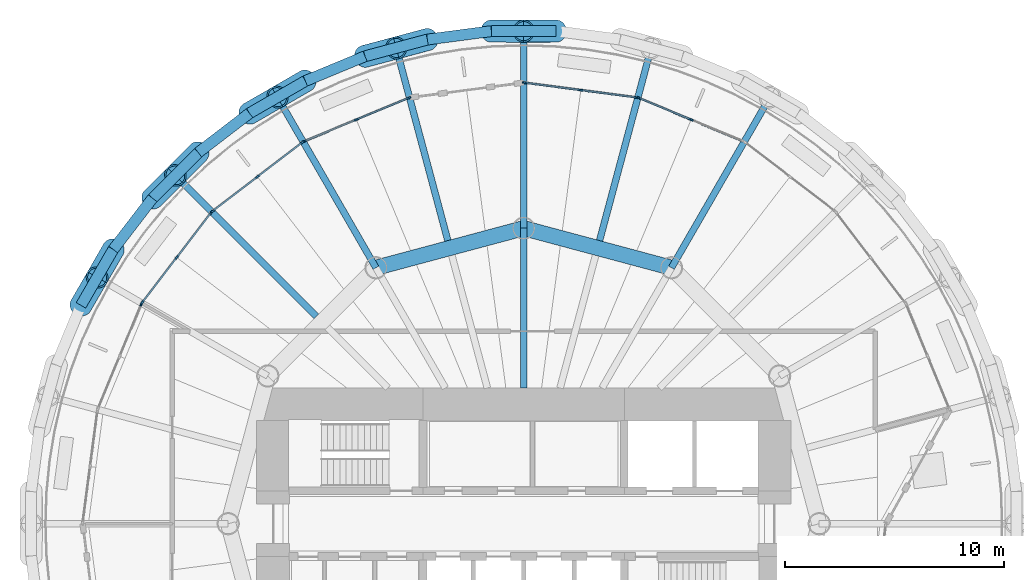
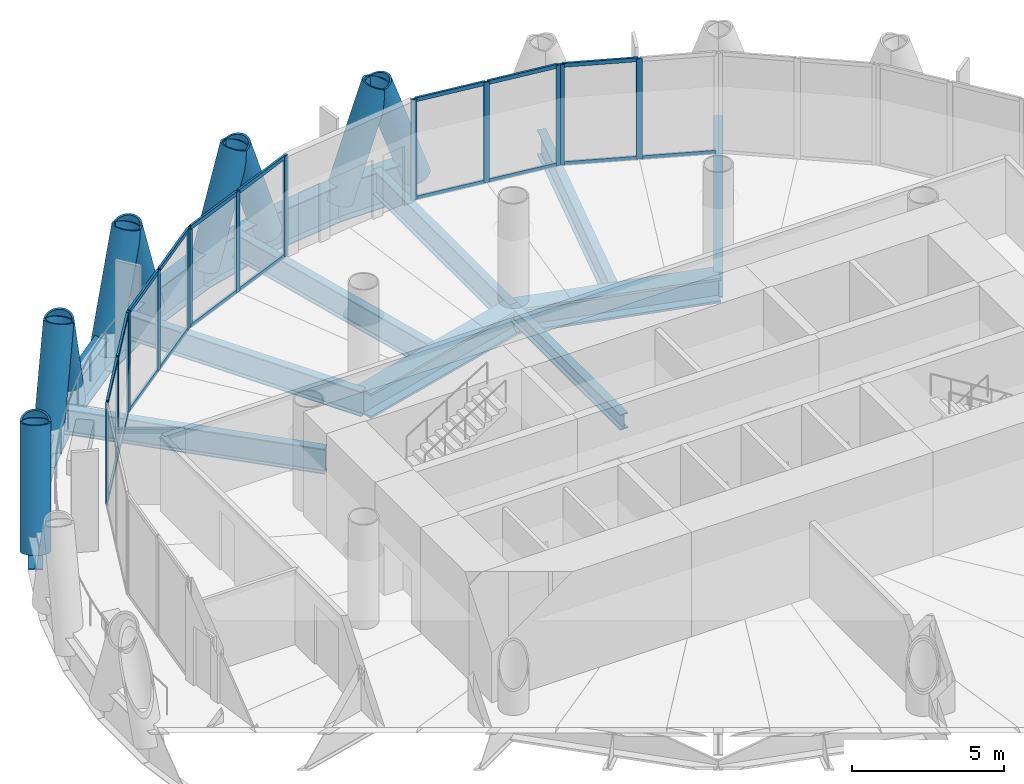
# One storey, part 5 of 13: 44 members, 18 beams, 6 elements without a shape of their own.
"""IFC4 building model written with IfcOpenShell, lengths in metres."""

from ifc_helpers import new_model, si_unit, direction, frame, origin, origin_2d, place, context, subcontext, project, spatial, rectangle, hollow_circle, i_section, extrude, material, material_profile, profile_set, type_object, element, aggregate, save


model = new_model("IFC4")

# Units and contexts
model_context = context("Model", 3, precision=1e-05, world=origin(), true_north=direction((0.0, 1.0)))
body_context = subcontext(model_context, "Body", "Model", "MODEL_VIEW")
ifc_project = project(units=[si_unit("LENGTHUNIT", "METRE"), si_unit("AREAUNIT", "SQUARE_METRE"), si_unit("VOLUMEUNIT", "CUBIC_METRE"), si_unit("PLANEANGLEUNIT", "RADIAN"), si_unit("MASSUNIT", "GRAM", prefix="KILO")], contexts=[model_context])

# Site, building, storey
site_placement = place(None, origin())
site = spatial("IfcSite", under=ifc_project, at=site_placement, CompositionType="ELEMENT")
building_placement = place(site_placement, origin())
building = spatial("IfcBuilding", under=site, at=building_placement, Name="Qaws Media Tower", CompositionType="ELEMENT")
storey_placement = place(building_placement, frame((0.0, 0.0, 223.39990234375)))
storey = spatial("IfcBuildingStorey", under=building, at=storey_placement, Name="L51", CompositionType="ELEMENT", Elevation=223.39990234375)

# Curtain wall, members
ifc_material_1 = material(Name="Aluminium and clear glass", Category="aluminium")
curtain_wall_type = type_object("IfcCurtainWallType", Name="Unitised curtain wall CW-C", PredefinedType="NOTDEFINED", material=ifc_material_1)
curtain_wall_1_placement = place(storey_placement, origin())
curtain_wall_1 = element("IfcCurtainWall", 1, at=curtain_wall_1_placement, inside=storey, type_object=curtain_wall_type, Name="CWC curtain wall L51-05", PredefinedType="NOTDEFINED")
ifc_material_2 = material(Name="Aluminium mullion", Category="aluminium")
ifc_material_profile_1 = material_profile(ifc_material_2, rectangle(XDim=0.080078125, YDim=0.199951171875, at=origin_2d()), Name="80x200")
ifc_profile_set_1 = profile_set([ifc_material_profile_1], Name="Aluminium mullion")
member_type_1 = type_object("IfcMemberType", Name="Curtain wall mullion 80x200", PredefinedType="MULLION", material=ifc_profile_set_1)
member_1_placement = place(storey_placement, frame((67.64501953125, 68.456787109375, 0.0), z_axis=(0.0, 0.0, 1.0), x_axis=(-0.382683365254, -0.92387956031, 0.0)))
member_1 = element("IfcMember", 2, at=member_1_placement, type_object=member_type_1, Name="CWC mullion 2", PredefinedType="MULLION", context=body_context, shape_type="SweptSolid", body=[
    extrude(rectangle(XDim=0.080078125, YDim=0.199951171875, at=origin_2d()), origin(), (0.0, 0.0, 1.0), 4.0400390625),
])
member_2_placement = place(storey_placement, frame((65.252197265625, 69.447998046875, 0.0), z_axis=(0.0, 0.0, 1.0), x_axis=(-0.382683365254, -0.92387956031, 0.0)))
member_2 = element("IfcMember", 3, at=member_2_placement, type_object=member_type_1, Name="CWC mullion 3", PredefinedType="MULLION", context=body_context, shape_type="SweptSolid", body=[
    extrude(rectangle(XDim=0.080078125, YDim=0.199951171875, at=origin_2d()), origin(), (0.0, 0.0, 1.0), 4.0400390625),
])

curtain_wall_2_placement = place(storey_placement, origin())
curtain_wall_2 = element("IfcCurtainWall", 4, at=curtain_wall_2_placement, inside=storey, type_object=curtain_wall_type, Name="CWC curtain wall L51-06", PredefinedType="NOTDEFINED")
member_3_placement = place(storey_placement, frame((65.175537109375, 69.468505859375, 0.0), z_axis=(0.0, 0.0, 1.0), x_axis=(-0.130526260986, -0.991444852321, 0.0)))
member_3 = element("IfcMember", 5, at=member_3_placement, type_object=member_type_1, Name="CWC mullion 1", PredefinedType="MULLION", context=body_context, shape_type="SweptSolid", body=[
    extrude(rectangle(XDim=0.080078125, YDim=0.199951171875, at=origin_2d()), origin(), (0.0, 0.0, 1.0), 4.0400390625),
])
member_4_placement = place(storey_placement, frame((62.607666015625, 69.806640625, 0.0), z_axis=(0.0, 0.0, 1.0), x_axis=(-0.130526260986, -0.991444852321, 0.0)))
member_4 = element("IfcMember", 6, at=member_4_placement, type_object=member_type_1, Name="CWC mullion 2", PredefinedType="MULLION", context=body_context, shape_type="SweptSolid", body=[
    extrude(rectangle(XDim=0.080078125, YDim=0.199951171875, at=origin_2d()), origin(), (0.0, 0.0, 1.0), 4.0400390625),
])
member_5_placement = place(storey_placement, frame((60.03955078125, 70.144775390625, 0.0), z_axis=(0.0, 0.0, 1.0), x_axis=(-0.130526260986, -0.991444852321, 0.0)))
member_5 = element("IfcMember", 7, at=member_5_placement, type_object=member_type_1, Name="CWC mullion 3", PredefinedType="MULLION", context=body_context, shape_type="SweptSolid", body=[
    extrude(rectangle(XDim=0.080078125, YDim=0.199951171875, at=origin_2d()), origin(), (0.0, 0.0, 1.0), 4.0400390625),
])

curtain_wall_3_placement = place(storey_placement, origin())
curtain_wall_3 = element("IfcCurtainWall", 8, at=curtain_wall_3_placement, inside=storey, type_object=curtain_wall_type, Name="CWC curtain wall L51-08", PredefinedType="NOTDEFINED")
member_6_placement = place(storey_placement, frame((54.747802734375, 69.447998046875, 0.0), z_axis=(0.0, 0.0, 1.0), x_axis=(0.382683365254, -0.92387956031, 0.0)))
member_6 = element("IfcMember", 9, at=member_6_placement, type_object=member_type_1, Name="CWC mullion 1", PredefinedType="MULLION", context=body_context, shape_type="SweptSolid", body=[
    extrude(rectangle(XDim=0.080078125, YDim=0.199951171875, at=origin_2d()), origin(), (0.0, 0.0, 1.0), 4.0400390625),
])
member_7_placement = place(storey_placement, frame((52.35498046875, 68.456787109375, 0.0), z_axis=(0.0, 0.0, 1.0), x_axis=(0.382683365254, -0.92387956031, 0.0)))
member_7 = element("IfcMember", 10, at=member_7_placement, type_object=member_type_1, Name="CWC mullion 2", PredefinedType="MULLION", context=body_context, shape_type="SweptSolid", body=[
    extrude(rectangle(XDim=0.080078125, YDim=0.199951171875, at=origin_2d()), origin(), (0.0, 0.0, 1.0), 4.0400390625),
])
member_8_placement = place(storey_placement, frame((49.9619140625, 67.4658203125, 0.0), z_axis=(0.0, 0.0, 1.0), x_axis=(0.382683365254, -0.92387956031, 0.0)))
member_8 = element("IfcMember", 11, at=member_8_placement, type_object=member_type_1, Name="CWC mullion 3", PredefinedType="MULLION", context=body_context, shape_type="SweptSolid", body=[
    extrude(rectangle(XDim=0.080078125, YDim=0.199951171875, at=origin_2d()), origin(), (0.0, 0.0, 1.0), 4.0400390625),
])

curtain_wall_4_placement = place(storey_placement, origin())
curtain_wall_4 = element("IfcCurtainWall", 12, at=curtain_wall_4_placement, inside=storey, type_object=curtain_wall_type, Name="CWC curtain wall L51-09", PredefinedType="NOTDEFINED")
member_9_placement = place(storey_placement, frame((49.893310546875, 67.426025390625, 0.0), z_axis=(0.0, 0.0, 1.0), x_axis=(0.608761366685, -0.793353388114, 0.0)))
member_9 = element("IfcMember", 13, at=member_9_placement, type_object=member_type_1, Name="CWC mullion 1", PredefinedType="MULLION", context=body_context, shape_type="SweptSolid", body=[
    extrude(rectangle(XDim=0.080078125, YDim=0.199951171875, at=origin_2d()), origin(), (0.0, 0.0, 1.0), 4.0400390625),
])
member_10_placement = place(storey_placement, frame((47.83837890625, 65.849365234375, 0.0), z_axis=(0.0, 0.0, 1.0), x_axis=(0.608761366685, -0.793353388114, 0.0)))
member_10 = element("IfcMember", 14, at=member_10_placement, type_object=member_type_1, Name="CWC mullion 2", PredefinedType="MULLION", context=body_context, shape_type="SweptSolid", body=[
    extrude(rectangle(XDim=0.080078125, YDim=0.199951171875, at=origin_2d()), origin(), (0.0, 0.0, 1.0), 4.0400390625),
])
member_11_placement = place(storey_placement, frame((45.783447265625, 64.2724609375, 0.0), z_axis=(0.0, 0.0, 1.0), x_axis=(0.608761366685, -0.793353388114, 0.0)))
member_11 = element("IfcMember", 15, at=member_11_placement, type_object=member_type_1, Name="CWC mullion 3", PredefinedType="MULLION", context=body_context, shape_type="SweptSolid", body=[
    extrude(rectangle(XDim=0.080078125, YDim=0.199951171875, at=origin_2d()), origin(), (0.0, 0.0, 1.0), 4.0400390625),
])

curtain_wall_5_placement = place(storey_placement, origin())
curtain_wall_5 = element("IfcCurtainWall", 16, at=curtain_wall_5_placement, inside=storey, type_object=curtain_wall_type, Name="CWC curtain wall L51-10", PredefinedType="NOTDEFINED")
member_12_placement = place(storey_placement, frame((45.7275390625, 64.216552734375, 0.0), z_axis=(0.0, 0.0, 1.0), x_axis=(0.793353388114, -0.608761366685, 0.0)))
member_12 = element("IfcMember", 17, at=member_12_placement, type_object=member_type_1, Name="CWC mullion 1", PredefinedType="MULLION", context=body_context, shape_type="SweptSolid", body=[
    extrude(rectangle(XDim=0.080078125, YDim=0.199951171875, at=origin_2d()), origin(), (0.0, 0.0, 1.0), 4.0400390625),
])
member_13_placement = place(storey_placement, frame((44.150634765625, 62.16162109375, 0.0), z_axis=(0.0, 0.0, 1.0), x_axis=(0.793353388114, -0.608761366685, 0.0)))
member_13 = element("IfcMember", 18, at=member_13_placement, type_object=member_type_1, Name="CWC mullion 2", PredefinedType="MULLION", context=body_context, shape_type="SweptSolid", body=[
    extrude(rectangle(XDim=0.080078125, YDim=0.199951171875, at=origin_2d()), origin(), (0.0, 0.0, 1.0), 4.0400390625),
])
member_14_placement = place(storey_placement, frame((42.573974609375, 60.106689453125, 0.0), z_axis=(0.0, 0.0, 1.0), x_axis=(0.793353388114, -0.608761366685, 0.0)))
member_14 = element("IfcMember", 19, at=member_14_placement, type_object=member_type_1, Name="CWC mullion 3", PredefinedType="MULLION", context=body_context, shape_type="SweptSolid", body=[
    extrude(rectangle(XDim=0.080078125, YDim=0.199951171875, at=origin_2d()), origin(), (0.0, 0.0, 1.0), 4.0400390625),
])

# Curtain wall, member
curtain_wall_6_placement = place(storey_placement, origin())
curtain_wall_6 = element("IfcCurtainWall", 20, at=curtain_wall_6_placement, inside=storey, type_object=curtain_wall_type, Name="CWC curtain wall L51-11", PredefinedType="NOTDEFINED")
member_15_placement = place(storey_placement, frame((42.5341796875, 60.0380859375, 0.0), z_axis=(0.0, 0.0, 1.0), x_axis=(0.92387956031, -0.382683365254, 0.0)))
member_15 = element("IfcMember", 21, at=member_15_placement, type_object=member_type_1, Name="CWC mullion 1", PredefinedType="MULLION", context=body_context, shape_type="SweptSolid", body=[
    extrude(rectangle(XDim=0.080078125, YDim=0.199951171875, at=origin_2d()), origin(), (0.0, 0.0, 1.0), 4.0400390625),
])
aggregate(curtain_wall_6, [member_15])

# Member
ifc_material_3 = material(Name="Aluminium transom", Category="aluminium")
ifc_material_profile_2 = material_profile(ifc_material_3, rectangle(XDim=0.080078125, YDim=0.159912109375, at=origin_2d()), Name="80x160")
ifc_profile_set_2 = profile_set([ifc_material_profile_2], Name="Aluminium transom")
member_type_2 = type_object("IfcMemberType", Name="Curtain wall transom 80x160", PredefinedType="USERDEFINED", material=ifc_profile_set_2)
member_16_placement = place(storey_placement, frame((70.0009765625, 67.48095703125, 0.0400390625), z_axis=(-0.92385203285, 0.382749815673, 0.0), x_axis=(-0.382749815673, -0.92385203285, 0.0)))
member_16 = element("IfcMember", 22, at=member_16_placement, type_object=member_type_2, Name="CWC transom 1.1", ObjectType="TRANSOM", PredefinedType="USERDEFINED", context=body_context, shape_type="SweptSolid", body=[
    extrude(rectangle(XDim=0.080078125, YDim=0.159912109375, at=origin_2d()), origin(), (0.0, 0.0, 1.0), 2.510009765625),
])

member_17_placement = place(storey_placement, frame((67.608154296875, 68.47216796875, 0.0400390625), z_axis=(-0.92386628045, 0.382715424105, 0.0), x_axis=(-0.382715424105, -0.92386628045, 0.0)))
member_17 = element("IfcMember", 23, at=member_17_placement, type_object=member_type_2, Name="CWC transom 2.1", ObjectType="TRANSOM", PredefinedType="USERDEFINED", context=body_context, shape_type="SweptSolid", body=[
    extrude(rectangle(XDim=0.080078125, YDim=0.159912109375, at=origin_2d()), origin(), (0.0, 0.0, 1.0), 2.51025390625),
])

member_18_placement = place(storey_placement, frame((67.608154296875, 68.47216796875, 4.0), z_axis=(-0.92386628045, 0.382715424105, 0.0), x_axis=(-0.382715424105, -0.92386628045, 0.0)))
member_18 = element("IfcMember", 24, at=member_18_placement, type_object=member_type_2, Name="CWC transom 2.2", ObjectType="TRANSOM", PredefinedType="USERDEFINED", context=body_context, shape_type="SweptSolid", body=[
    extrude(rectangle(XDim=0.080078125, YDim=0.159912109375, at=origin_2d()), origin(), (0.0, 0.0, 1.0), 2.51025390625),
])

aggregate(curtain_wall_1, [member_1, member_2, member_16, member_17, member_18])

member_19_placement = place(storey_placement, frame((65.135986328125, 69.473876953125, 0.0400390625), z_axis=(-0.991445686503, 0.130519924592, 0.0), x_axis=(-0.130519924592, -0.991445686503, 0.0)))
member_19 = element("IfcMember", 25, at=member_19_placement, type_object=member_type_2, Name="CWC transom 1.1", ObjectType="TRANSOM", PredefinedType="USERDEFINED", context=body_context, shape_type="SweptSolid", body=[
    extrude(rectangle(XDim=0.080078125, YDim=0.159912109375, at=origin_2d()), origin(), (0.0, 0.0, 1.0), 2.51025390625),
])

member_20_placement = place(storey_placement, frame((65.135986328125, 69.473876953125, 4.0), z_axis=(-0.991445686503, 0.130519924592, 0.0), x_axis=(-0.130519924592, -0.991445686503, 0.0)))
member_20 = element("IfcMember", 26, at=member_20_placement, type_object=member_type_2, Name="CWC transom 1.2", ObjectType="TRANSOM", PredefinedType="USERDEFINED", context=body_context, shape_type="SweptSolid", body=[
    extrude(rectangle(XDim=0.080078125, YDim=0.159912109375, at=origin_2d()), origin(), (0.0, 0.0, 1.0), 2.51025390625),
])

member_21_placement = place(storey_placement, frame((62.56787109375, 69.81201171875, 0.0400390625), z_axis=(-0.991444029433, 0.130532511282, 0.0), x_axis=(-0.130532511282, -0.991444029433, 0.0)))
member_21 = element("IfcMember", 27, at=member_21_placement, type_object=member_type_2, Name="CWC transom 2.1", ObjectType="TRANSOM", PredefinedType="USERDEFINED", context=body_context, shape_type="SweptSolid", body=[
    extrude(rectangle(XDim=0.080078125, YDim=0.159912109375, at=origin_2d()), origin(), (0.0, 0.0, 1.0), 2.510009765625),
])

member_22_placement = place(storey_placement, frame((62.56787109375, 69.81201171875, 4.0), z_axis=(-0.991444029433, 0.130532511282, 0.0), x_axis=(-0.130532511282, -0.991444029433, 0.0)))
member_22 = element("IfcMember", 28, at=member_22_placement, type_object=member_type_2, Name="CWC transom 2.2", ObjectType="TRANSOM", PredefinedType="USERDEFINED", context=body_context, shape_type="SweptSolid", body=[
    extrude(rectangle(XDim=0.080078125, YDim=0.159912109375, at=origin_2d()), origin(), (0.0, 0.0, 1.0), 2.510009765625),
])

aggregate(curtain_wall_2, [member_3, member_4, member_5, member_19, member_20, member_21, member_22])

member_23_placement = place(storey_placement, frame((54.7109375, 69.432861328125, 0.0400390625), z_axis=(-0.92386628045, -0.382715424105, 0.0), x_axis=(0.382715424105, -0.92386628045, 0.0)))
member_23 = element("IfcMember", 29, at=member_23_placement, type_object=member_type_2, Name="CWC transom 1.1", ObjectType="TRANSOM", PredefinedType="USERDEFINED", context=body_context, shape_type="SweptSolid", body=[
    extrude(rectangle(XDim=0.080078125, YDim=0.159912109375, at=origin_2d()), origin(), (0.0, 0.0, 1.0), 2.51025390625),
])

member_24_placement = place(storey_placement, frame((54.7109375, 69.432861328125, 4.0), z_axis=(-0.92386628045, -0.382715424105, 0.0), x_axis=(0.382715424105, -0.92386628045, 0.0)))
member_24 = element("IfcMember", 30, at=member_24_placement, type_object=member_type_2, Name="CWC transom 1.2", ObjectType="TRANSOM", PredefinedType="USERDEFINED", context=body_context, shape_type="SweptSolid", body=[
    extrude(rectangle(XDim=0.080078125, YDim=0.159912109375, at=origin_2d()), origin(), (0.0, 0.0, 1.0), 2.51025390625),
])

member_25_placement = place(storey_placement, frame((52.31787109375, 68.441650390625, 0.0400390625), z_axis=(-0.92385203285, -0.382749815673, 0.0), x_axis=(0.382749815673, -0.92385203285, 0.0)))
member_25 = element("IfcMember", 31, at=member_25_placement, type_object=member_type_2, Name="CWC transom 2.1", ObjectType="TRANSOM", PredefinedType="USERDEFINED", context=body_context, shape_type="SweptSolid", body=[
    extrude(rectangle(XDim=0.080078125, YDim=0.159912109375, at=origin_2d()), origin(), (0.0, 0.0, 1.0), 2.510009765625),
])

member_26_placement = place(storey_placement, frame((52.31787109375, 68.441650390625, 4.0), z_axis=(-0.92385203285, -0.382749815673, 0.0), x_axis=(0.382749815673, -0.92385203285, 0.0)))
member_26 = element("IfcMember", 32, at=member_26_placement, type_object=member_type_2, Name="CWC transom 2.2", ObjectType="TRANSOM", PredefinedType="USERDEFINED", context=body_context, shape_type="SweptSolid", body=[
    extrude(rectangle(XDim=0.080078125, YDim=0.159912109375, at=origin_2d()), origin(), (0.0, 0.0, 1.0), 2.510009765625),
])

aggregate(curtain_wall_3, [member_6, member_7, member_8, member_23, member_24, member_25, member_26])

member_27_placement = place(storey_placement, frame((49.861572265625, 67.401611328125, 0.0400390625), z_axis=(-0.793404364979, -0.608694926571, 0.0), x_axis=(0.608694926571, -0.793404364979, 0.0)))
member_27 = element("IfcMember", 33, at=member_27_placement, type_object=member_type_2, Name="CWC transom 1.1", ObjectType="TRANSOM", PredefinedType="USERDEFINED", context=body_context, shape_type="SweptSolid", body=[
    extrude(rectangle(XDim=0.080078125, YDim=0.159912109375, at=origin_2d()), origin(), (0.0, 0.0, 1.0), 2.510009765625),
])

member_28_placement = place(storey_placement, frame((49.861572265625, 67.401611328125, 4.0), z_axis=(-0.793404364979, -0.608694926571, 0.0), x_axis=(0.608694926571, -0.793404364979, 0.0)))
member_28 = element("IfcMember", 34, at=member_28_placement, type_object=member_type_2, Name="CWC transom 1.2", ObjectType="TRANSOM", PredefinedType="USERDEFINED", context=body_context, shape_type="SweptSolid", body=[
    extrude(rectangle(XDim=0.080078125, YDim=0.159912109375, at=origin_2d()), origin(), (0.0, 0.0, 1.0), 2.510009765625),
])

member_29_placement = place(storey_placement, frame((47.806640625, 65.824951171875, 0.0400390625), z_axis=(-0.793357391306, -0.608756149587, 0.0), x_axis=(0.608756149587, -0.793357391306, 0.0)))
member_29 = element("IfcMember", 35, at=member_29_placement, type_object=member_type_2, Name="CWC transom 2.1", ObjectType="TRANSOM", PredefinedType="USERDEFINED", context=body_context, shape_type="SweptSolid", body=[
    extrude(rectangle(XDim=0.080078125, YDim=0.159912109375, at=origin_2d()), origin(), (0.0, 0.0, 1.0), 2.51025390625),
])

member_30_placement = place(storey_placement, frame((47.806640625, 65.824951171875, 4.0), z_axis=(-0.793357391306, -0.608756149587, 0.0), x_axis=(0.608756149587, -0.793357391306, 0.0)))
member_30 = element("IfcMember", 36, at=member_30_placement, type_object=member_type_2, Name="CWC transom 2.2", ObjectType="TRANSOM", PredefinedType="USERDEFINED", context=body_context, shape_type="SweptSolid", body=[
    extrude(rectangle(XDim=0.080078125, YDim=0.159912109375, at=origin_2d()), origin(), (0.0, 0.0, 1.0), 2.51025390625),
])

aggregate(curtain_wall_4, [member_9, member_10, member_11, member_27, member_28, member_29, member_30])

member_31_placement = place(storey_placement, frame((45.703125, 64.184814453125, 0.0400390625), z_axis=(-0.608756149587, -0.793357391306, 0.0), x_axis=(0.793357391306, -0.608756149587, 0.0)))
member_31 = element("IfcMember", 37, at=member_31_placement, type_object=member_type_2, Name="CWC transom 1.1", ObjectType="TRANSOM", PredefinedType="USERDEFINED", context=body_context, shape_type="SweptSolid", body=[
    extrude(rectangle(XDim=0.080078125, YDim=0.159912109375, at=origin_2d()), origin(), (0.0, 0.0, 1.0), 2.51025390625),
])

member_32_placement = place(storey_placement, frame((45.703125, 64.184814453125, 4.0), z_axis=(-0.608756149587, -0.793357391306, 0.0), x_axis=(0.793357391306, -0.608756149587, 0.0)))
member_32 = element("IfcMember", 38, at=member_32_placement, type_object=member_type_2, Name="CWC transom 1.2", ObjectType="TRANSOM", PredefinedType="USERDEFINED", context=body_context, shape_type="SweptSolid", body=[
    extrude(rectangle(XDim=0.080078125, YDim=0.159912109375, at=origin_2d()), origin(), (0.0, 0.0, 1.0), 2.51025390625),
])

member_33_placement = place(storey_placement, frame((44.126220703125, 62.1298828125, 0.0400390625), z_axis=(-0.608694926571, -0.793404364979, 0.0), x_axis=(0.793404364979, -0.608694926571, 0.0)))
member_33 = element("IfcMember", 39, at=member_33_placement, type_object=member_type_2, Name="CWC transom 2.1", ObjectType="TRANSOM", PredefinedType="USERDEFINED", context=body_context, shape_type="SweptSolid", body=[
    extrude(rectangle(XDim=0.080078125, YDim=0.159912109375, at=origin_2d()), origin(), (0.0, 0.0, 1.0), 2.510009765625),
])

member_34_placement = place(storey_placement, frame((44.126220703125, 62.1298828125, 4.0), z_axis=(-0.608694926571, -0.793404364979, 0.0), x_axis=(0.793404364979, -0.608694926571, 0.0)))
member_34 = element("IfcMember", 40, at=member_34_placement, type_object=member_type_2, Name="CWC transom 2.2", ObjectType="TRANSOM", PredefinedType="USERDEFINED", context=body_context, shape_type="SweptSolid", body=[
    extrude(rectangle(XDim=0.080078125, YDim=0.159912109375, at=origin_2d()), origin(), (0.0, 0.0, 1.0), 2.510009765625),
])

aggregate(curtain_wall_5, [member_12, member_13, member_14, member_31, member_32, member_33, member_34])

# Members
ifc_material_4 = material(Name="Steel S460", Category="steel")
ifc_material_profile_3 = material_profile(ifc_material_4, hollow_circle(Radius=0.508056640625, WallThickness=0.070068359375, at=origin_2d()), Name="CHS 1016x70")
ifc_profile_set_3 = profile_set([ifc_material_profile_3], Name="Steel S460")
member_type_3 = type_object("IfcMemberType", Name="Diagrid member CHS 1016x70", PredefinedType="USERDEFINED", material=ifc_profile_set_3)
for number, where, z_axis, x_axis, name in (
    (41, (61.474853515625, 72.501708984375, -0.909912109375), (-0.331324993668, -0.000383922357, 0.943516614149), (0.001158747774, -0.999999328652, 0.0), "DG3 diagrid L51 A06"),
    (42, (55.600830078125, 72.11669921875, -0.909912109375), (-0.319968624274, -0.086107428884, 0.943507069487), (0.25986662575, -0.965644518869, 0.0), "DG3 diagrid L51 A07"),
    (43, (58.525146484375, 72.501708984375, -0.909912109375), (0.331324993668, -0.000383922357, 0.943516614149), (0.001158747774, 0.999999328652, 0.0), "DG3 diagrid L51 B07"),
    (44, (50.0263671875, 70.224365234375, -0.909912109375), (-0.286737340788, -0.165965415689, 0.943523809023), (0.500944907845, -0.865479173236, 0.0), "DG3 diagrid L51 A08"),
    (45, (52.75146484375, 71.353271484375, -0.909912109375), (0.320135875408, 0.085395161557, 0.943515070181), (-0.257734769998, 0.966215704868, 0.0), "DG3 diagrid L51 B08"),
    (46, (45.1318359375, 66.9541015625, -0.909912109375), (-0.234025886045, -0.234574341367, 0.94350769103), (0.707933902551, -0.706278691182, 0.0), "DG3 diagrid L51 A09"),
    (47, (47.471923828125, 68.749755859375, -0.909912109375), (0.287120937435, 0.16530706885, 0.943522729072), (-0.498953142085, 0.866628964438, 0.0), "DG3 diagrid L51 B09"),
    (48, (41.250244140625, 62.528076171875, -0.909912109375), (-0.16530706885, -0.287120937435, 0.943522729072), (0.866628964438, -0.498953142085, 0.0), "DG3 diagrid L51 A10"),
    (49, (43.0458984375, 64.8681640625, -0.909912109375), (0.234574341367, 0.234025886045, 0.94350769103), (-0.706278691182, 0.707933902551, 0.0), "DG3 diagrid L51 B10"),
    (50, (39.775634765625, 59.9736328125, -0.909912109375), (0.165965415689, 0.286737340788, 0.943523809023), (-0.865479173236, 0.500944907845, 0.0), "DG3 diagrid L51 B11"),
):
    element("IfcMember", number, at=place(storey_placement, frame(where, z_axis=z_axis, x_axis=x_axis)), inside=storey, type_object=member_type_3, Name=name, ObjectType="DIAGRID", PredefinedType="USERDEFINED", context=body_context, shape_type="SweptSolid", body=[
        extrude(hollow_circle(Radius=0.508056640625, WallThickness=0.070068359375, at=origin_2d()), origin(), (0.0, 0.0, 1.0), 4.451416015625),
    ])

# Beams
ifc_material_5 = material(Name="Steel S460", Category="steel")
ifc_material_profile_4 = material_profile(ifc_material_5, i_section(OverallWidth=0.5, OverallDepth=1.5, WebThickness=0.02001953125, FlangeThickness=0.0400390625, at=origin_2d()), Name="PG 1500x500")
ifc_profile_set_4 = profile_set([ifc_material_profile_4], Name="Steel S460")
beam_type_1 = type_object("IfcBeamType", Name="Edge ring beam PG 1500x500", PredefinedType="BEAM", material=ifc_profile_set_4)
beam_1_placement = place(storey_placement, frame((61.474853515625, 72.501708984375, -0.909912109375), z_axis=(-1.0, 0.0, 0.0), x_axis=(0.0, -1.0, 0.0)))
element("IfcBeam", 51, at=beam_1_placement, inside=storey, type_object=beam_type_1, Name="RB4 edge ring beam L51-12", PredefinedType="BEAM", context=body_context, shape_type="SweptSolid", body=[
    extrude(i_section(OverallWidth=0.5, OverallDepth=1.5, WebThickness=0.02001953125, FlangeThickness=0.0400390625, at=origin_2d()), origin(), (0.0, 0.0, 1.0), 2.94970703125),
])
beam_2_placement = place(storey_placement, frame((58.525146484375, 72.501708984375, -0.909912109375), z_axis=(-0.991444150288, -0.130531593338, 0.0), x_axis=(0.130531593338, -0.991444150288, 0.0)))
element("IfcBeam", 52, at=beam_2_placement, inside=storey, type_object=beam_type_1, Name="RB4 edge ring beam L51-13", PredefinedType="BEAM", context=body_context, shape_type="SweptSolid", body=[
    extrude(i_section(OverallWidth=0.5, OverallDepth=1.5, WebThickness=0.02001953125, FlangeThickness=0.0400390625, at=origin_2d()), origin(), (0.0, 0.0, 1.0), 2.949462890625),
])
beam_3_placement = place(storey_placement, frame((55.600830078125, 72.11669921875, -0.909912109375), z_axis=(-0.965930688978, -0.258800896618, 0.0), x_axis=(0.258800896618, -0.965930688978, 0.0)))
element("IfcBeam", 53, at=beam_3_placement, inside=storey, type_object=beam_type_1, Name="RB4 edge ring beam L51-14", PredefinedType="BEAM", context=body_context, shape_type="SweptSolid", body=[
    extrude(i_section(OverallWidth=0.5, OverallDepth=1.5, WebThickness=0.02001953125, FlangeThickness=0.0400390625, at=origin_2d()), origin(), (0.0, 0.0, 1.0), 2.949951171875),
])
beam_4_placement = place(storey_placement, frame((52.75146484375, 71.353271484375, -0.909912109375), z_axis=(-0.92386348916, -0.382722162146, 0.0), x_axis=(0.382722162146, -0.92386348916, 0.0)))
element("IfcBeam", 54, at=beam_4_placement, inside=storey, type_object=beam_type_1, Name="RB4 edge ring beam L51-15", PredefinedType="BEAM", context=body_context, shape_type="SweptSolid", body=[
    extrude(i_section(OverallWidth=0.5, OverallDepth=1.5, WebThickness=0.02001953125, FlangeThickness=0.0400390625, at=origin_2d()), origin(), (0.0, 0.0, 1.0), 2.94970703125),
])
beam_5_placement = place(storey_placement, frame((50.0263671875, 70.224365234375, -0.909912109375), z_axis=(-0.866054644421, -0.499949350311, 0.0), x_axis=(0.499949350311, -0.866054644421, 0.0)))
element("IfcBeam", 55, at=beam_5_placement, inside=storey, type_object=beam_type_1, Name="RB4 edge ring beam L51-16", PredefinedType="BEAM", context=body_context, shape_type="SweptSolid", body=[
    extrude(i_section(OverallWidth=0.5, OverallDepth=1.5, WebThickness=0.02001953125, FlangeThickness=0.0400390625, at=origin_2d()), origin(), (0.0, 0.0, 1.0), 2.949462890625),
])
beam_6_placement = place(storey_placement, frame((47.471923828125, 68.749755859375, -0.909912109375), z_axis=(-0.793346511764, -0.608770328015, 0.0), x_axis=(0.608770328015, -0.793346511764, 0.0)))
element("IfcBeam", 56, at=beam_6_placement, inside=storey, type_object=beam_type_1, Name="RB4 edge ring beam L51-17", PredefinedType="BEAM", context=body_context, shape_type="SweptSolid", body=[
    extrude(i_section(OverallWidth=0.5, OverallDepth=1.5, WebThickness=0.02001953125, FlangeThickness=0.0400390625, at=origin_2d()), origin(), (0.0, 0.0, 1.0), 2.94970703125),
])
beam_7_placement = place(storey_placement, frame((45.1318359375, 66.9541015625, -0.909912109375), z_axis=(-0.707106781187, -0.707106781187, 0.0), x_axis=(0.707106781187, -0.707106781187, 0.0)))
element("IfcBeam", 57, at=beam_7_placement, inside=storey, type_object=beam_type_1, Name="RB4 edge ring beam L51-18", PredefinedType="BEAM", context=body_context, shape_type="SweptSolid", body=[
    extrude(i_section(OverallWidth=0.5, OverallDepth=1.5, WebThickness=0.02001953125, FlangeThickness=0.0400390625, at=origin_2d()), origin(), (0.0, 0.0, 1.0), 2.949951171875),
])
beam_8_placement = place(storey_placement, frame((43.0458984375, 64.8681640625, -0.909912109375), z_axis=(-0.608770328015, -0.793346511764, 0.0), x_axis=(0.793346511764, -0.608770328015, 0.0)))
element("IfcBeam", 58, at=beam_8_placement, inside=storey, type_object=beam_type_1, Name="RB4 edge ring beam L51-19", PredefinedType="BEAM", context=body_context, shape_type="SweptSolid", body=[
    extrude(i_section(OverallWidth=0.5, OverallDepth=1.5, WebThickness=0.02001953125, FlangeThickness=0.0400390625, at=origin_2d()), origin(), (0.0, 0.0, 1.0), 2.94970703125),
])
beam_9_placement = place(storey_placement, frame((41.250244140625, 62.528076171875, -0.909912109375), z_axis=(-0.499949350311, -0.866054644421, 0.0), x_axis=(0.866054644421, -0.499949350311, 0.0)))
element("IfcBeam", 59, at=beam_9_placement, inside=storey, type_object=beam_type_1, Name="RB4 edge ring beam L51-20", PredefinedType="BEAM", context=body_context, shape_type="SweptSolid", body=[
    extrude(i_section(OverallWidth=0.5, OverallDepth=1.5, WebThickness=0.02001953125, FlangeThickness=0.0400390625, at=origin_2d()), origin(), (0.0, 0.0, 1.0), 2.949462890625),
])
ifc_material_6 = material(Name="Steel S460", Category="steel")
ifc_material_profile_5 = material_profile(ifc_material_6, i_section(OverallWidth=0.699951171875, OverallDepth=1.0, WebThickness=0.034912109375, FlangeThickness=0.090087890625, at=origin_2d()), Name="PG 1000x700")
ifc_profile_set_5 = profile_set([ifc_material_profile_5], Name="Steel S460")
beam_type_2 = type_object("IfcBeamType", Name="Inner ring girder PG 1000x700", PredefinedType="BEAM", material=ifc_profile_set_5)
for number, where, z_axis, x_axis, name in (
    (60, (66.75, 61.69140625, -0.659912109375), (-0.965928090778, 0.258810593767, 0.0), (-0.258810593767, -0.965928090778, 0.0), "B3 inner ring beam L51 I03-I04"),
    (61, (60.0, 63.5, -0.659912109375), (-0.965928090778, -0.258810593767, 0.0), (0.258810593767, -0.965928090778, 0.0), "B3 inner ring beam L51 I04-I05"),
):
    element("IfcBeam", number, at=place(storey_placement, frame(where, z_axis=z_axis, x_axis=x_axis)), inside=storey, type_object=beam_type_2, Name=name, PredefinedType="BEAM", context=body_context, shape_type="SweptSolid", body=[
        extrude(i_section(OverallWidth=0.699951171875, OverallDepth=1.0, WebThickness=0.034912109375, FlangeThickness=0.090087890625, at=origin_2d()), origin(), (0.0, 0.0, 1.0), 6.988037109375),
    ])
ifc_material_7 = material(Name="Steel S355", Category="steel")
ifc_material_profile_6 = material_profile(ifc_material_7, i_section(OverallWidth=0.302001953125, OverallDepth=1.008056640625, WebThickness=0.02099609375, FlangeThickness=0.0400390625, FilletRadius=0.030029296875, at=origin_2d()), Name="HE 1000 M")
ifc_profile_set_6 = profile_set([ifc_material_profile_6], Name="Steel S355")
beam_type_3 = type_object("IfcBeamType", Name="Radial beam HE 1000 M", PredefinedType="BEAM", material=ifc_profile_set_6)
beam_10_placement = place(storey_placement, frame((66.75, 61.69140625, -0.663818359375), z_axis=(0.500012785472, 0.866018021963, 0.0), x_axis=(-0.866018021963, 0.500012785472, 0.0)))
element("IfcBeam", 62, at=beam_10_placement, inside=storey, type_object=beam_type_3, Name="B1 radial beam L51 05", PredefinedType="BEAM", context=body_context, shape_type="SweptSolid", body=[
    extrude(i_section(OverallWidth=0.302001953125, OverallDepth=1.008056640625, WebThickness=0.02099609375, FlangeThickness=0.0400390625, FilletRadius=0.030029296875, at=origin_2d()), origin(), (0.0, 0.0, 1.0), 9.001708984375),
])
beam_11_placement = place(storey_placement, frame((63.465576171875, 62.933837890625, -0.663818359375), z_axis=(0.258829835029, 0.965922935072, 0.0), x_axis=(-0.965922935072, 0.258829835029, 0.0)))
element("IfcBeam", 63, at=beam_11_placement, inside=storey, type_object=beam_type_3, Name="B1 radial beam L51 06", PredefinedType="BEAM", context=body_context, shape_type="SweptSolid", body=[
    extrude(i_section(OverallWidth=0.302001953125, OverallDepth=1.008056640625, WebThickness=0.02099609375, FlangeThickness=0.0400390625, FilletRadius=0.030029296875, at=origin_2d()), origin(), (0.0, 0.0, 1.0), 9.11181640625),
])
beam_12_placement = place(storey_placement, frame((60.0, 63.5, -0.663818359375), z_axis=(0.0, 1.0, 0.0), x_axis=(-1.0, 0.0, 0.0)))
element("IfcBeam", 64, at=beam_12_placement, inside=storey, type_object=beam_type_3, Name="B1 radial beam L51 07", PredefinedType="BEAM", context=body_context, shape_type="SweptSolid", body=[
    extrude(i_section(OverallWidth=0.302001953125, OverallDepth=1.008056640625, WebThickness=0.02099609375, FlangeThickness=0.0400390625, FilletRadius=0.030029296875, at=origin_2d()), origin(), (0.0, 0.0, 1.0), 9.001708984375),
])
beam_13_placement = place(storey_placement, frame((56.534423828125, 62.933837890625, -0.663818359375), z_axis=(-0.258829835029, 0.965922935072, 0.0), x_axis=(-0.965922935072, -0.258829835029, 0.0)))
element("IfcBeam", 65, at=beam_13_placement, inside=storey, type_object=beam_type_3, Name="B1 radial beam L51 08", PredefinedType="BEAM", context=body_context, shape_type="SweptSolid", body=[
    extrude(i_section(OverallWidth=0.302001953125, OverallDepth=1.008056640625, WebThickness=0.02099609375, FlangeThickness=0.0400390625, FilletRadius=0.030029296875, at=origin_2d()), origin(), (0.0, 0.0, 1.0), 9.11181640625),
])
beam_14_placement = place(storey_placement, frame((53.25, 61.69140625, -0.663818359375), z_axis=(-0.500012785472, 0.866018021963, 0.0), x_axis=(-0.866018021963, -0.500012785472, 0.0)))
element("IfcBeam", 66, at=beam_14_placement, inside=storey, type_object=beam_type_3, Name="B1 radial beam L51 09", PredefinedType="BEAM", context=body_context, shape_type="SweptSolid", body=[
    extrude(i_section(OverallWidth=0.302001953125, OverallDepth=1.008056640625, WebThickness=0.02099609375, FlangeThickness=0.0400390625, FilletRadius=0.030029296875, at=origin_2d()), origin(), (0.0, 0.0, 1.0), 9.001708984375),
])
beam_15_placement = place(storey_placement, frame((50.53173828125, 59.46826171875, -0.663818359375), z_axis=(-0.707106781187, 0.707106781187, 0.0), x_axis=(-0.707106781187, -0.707106781187, 0.0)))
element("IfcBeam", 67, at=beam_15_placement, inside=storey, type_object=beam_type_3, Name="B1 radial beam L51 10", PredefinedType="BEAM", context=body_context, shape_type="SweptSolid", body=[
    extrude(i_section(OverallWidth=0.302001953125, OverallDepth=1.008056640625, WebThickness=0.02099609375, FlangeThickness=0.0400390625, FilletRadius=0.030029296875, at=origin_2d()), origin(), (0.0, 0.0, 1.0), 9.111572265625),
])
ifc_material_8 = material(Name="Steel S355", Category="steel")
ifc_material_profile_7 = material_profile(ifc_material_8, i_section(OverallWidth=0.304931640625, OverallDepth=0.6201171875, WebThickness=0.02099609375, FlangeThickness=0.0400390625, FilletRadius=0.027099609375, at=origin_2d()), Name="HE 600 M")
ifc_profile_set_7 = profile_set([ifc_material_profile_7], Name="Steel S355")
beam_type_4 = type_object("IfcBeamType", Name="Radial beam HE 600 M, core side", PredefinedType="BEAM", material=ifc_profile_set_7)
beam_16_placement = place(storey_placement, frame((60.0, 56.199951171875, -0.469970703125), z_axis=(0.0, 1.0, 0.0), x_axis=(-1.0, 0.0, 0.0)))
element("IfcBeam", 68, at=beam_16_placement, inside=storey, type_object=beam_type_4, Name="B2 radial beam L51 07", PredefinedType="BEAM", context=body_context, shape_type="SweptSolid", body=[
    extrude(i_section(OverallWidth=0.304931640625, OverallDepth=0.6201171875, WebThickness=0.02099609375, FlangeThickness=0.0400390625, FilletRadius=0.027099609375, at=origin_2d()), origin(), (0.0, 0.0, 1.0), 7.300048828125),
])

save(model, "model.ifc")
